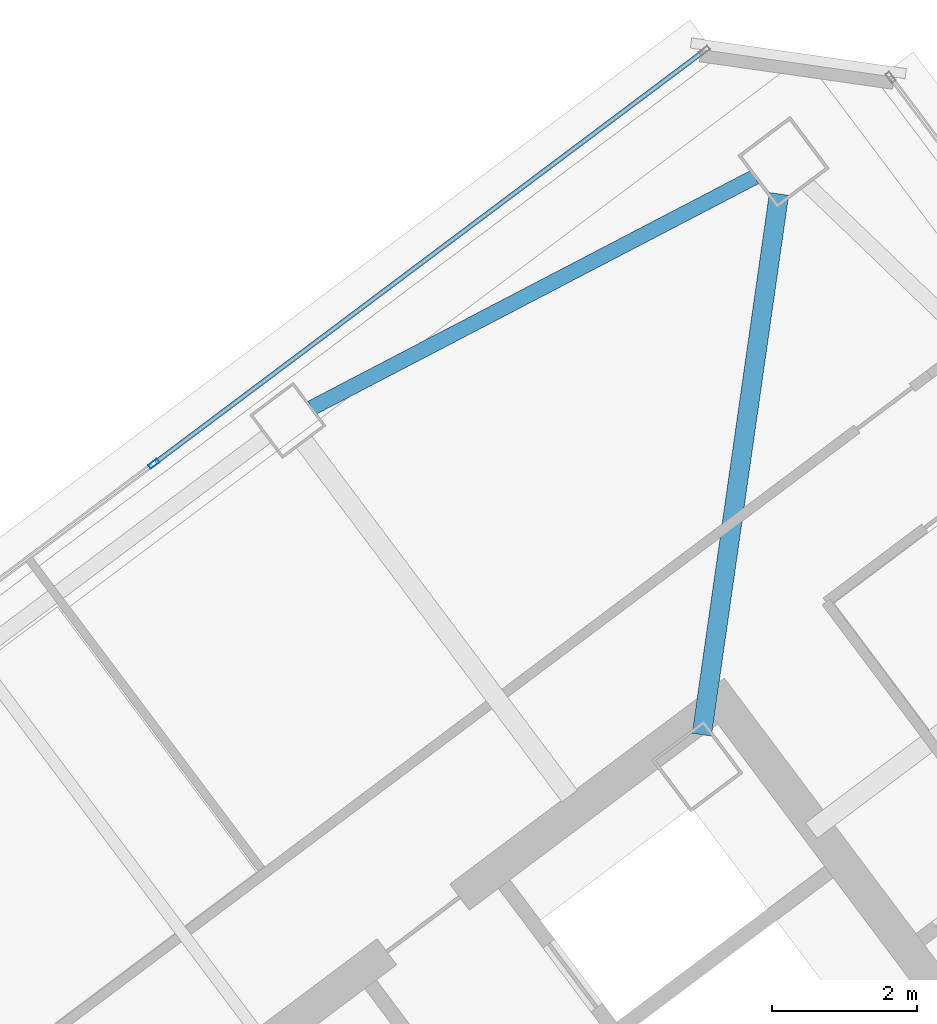
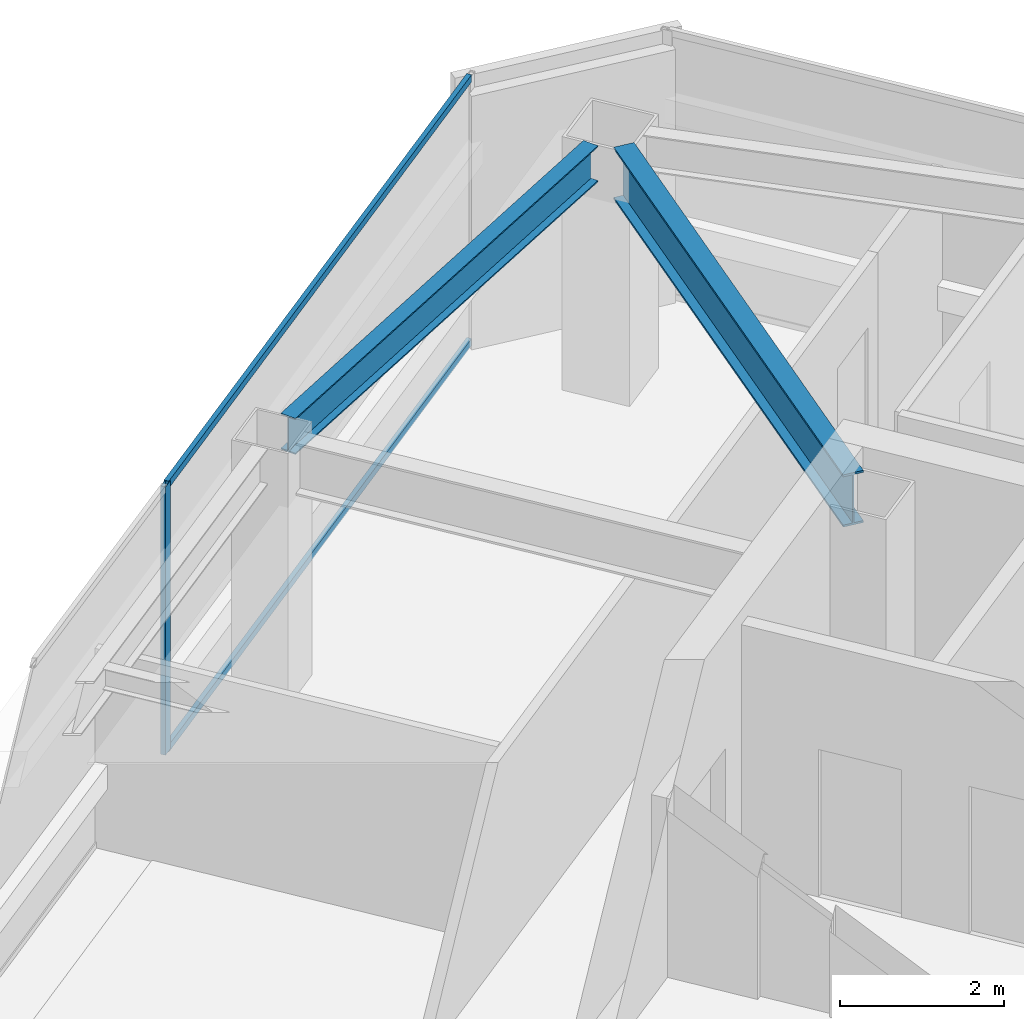
# One storey, part 35 of 51: 3 members, 2 beams, 1 element without a shape of its own.
"""IFC4 building model written with IfcOpenShell, lengths in metres."""

from ifc_helpers import new_model, si_unit, direction, frame, origin, origin_2d, place, context, subcontext, project, spatial, hollow_rectangle, i_section, extrude, material, material_profile, profile_set, type_object, element, aggregate, save


model = new_model("IFC4")

# Units and contexts
model_context = context("Model", 3, precision=1e-05, world=origin(), true_north=direction((0.0, 1.0)))
body_context = subcontext(model_context, "Body", "Model", "MODEL_VIEW")
ifc_project = project(units=[si_unit("LENGTHUNIT", "METRE"), si_unit("AREAUNIT", "SQUARE_METRE"), si_unit("VOLUMEUNIT", "CUBIC_METRE"), si_unit("PLANEANGLEUNIT", "RADIAN"), si_unit("MASSUNIT", "GRAM", prefix="KILO")], contexts=[model_context])

# Site, building, storey
site_placement = place(None, origin())
site = spatial("IfcSite", under=ifc_project, at=site_placement, CompositionType="ELEMENT")
building_placement = place(site_placement, origin())
building = spatial("IfcBuilding", under=site, at=building_placement, Name="Tashvorn Skyway Center", CompositionType="ELEMENT")
storey_placement = place(building_placement, frame((0.0, 0.0, 251.39990234375)))
storey = spatial("IfcBuildingStorey", under=building, at=storey_placement, Name="L68", CompositionType="ELEMENT", Elevation=251.39990234375)

# Beams
ifc_material_1 = material(Name="Steel ASTM A992 Grade 50", Category="steel")
ifc_material_profile_1 = material_profile(ifc_material_1, i_section(OverallWidth=0.26708984375, OverallDepth=0.779052734375, WebThickness=0.0166015625, FlangeThickness=0.030029296875, at=origin_2d()), Name="W30X148")
ifc_profile_set_1 = profile_set([ifc_material_profile_1], Name="Steel ASTM A992 Grade 50")
beam_type_1 = type_object("IfcBeamType", Name="BM-BEAM-W30X148", PredefinedType="BEAM", material=ifc_profile_set_1)
beam_1_placement = place(storey_placement, frame((116.537109375, 49.759521484375, 3.390625), z_axis=(-0.141430441004, -0.989948195795, 0.0), x_axis=(0.989948195795, -0.141430441004, 0.0)))
element("IfcBeam", 1, at=beam_1_placement, inside=storey, type_object=beam_type_1, Name="Tower 2 L68 Primary Floor Girder MC-NE", PredefinedType="BEAM", context=body_context, shape_type="SweptSolid", body=[
    extrude(i_section(OverallWidth=0.26708984375, OverallDepth=0.779052734375, WebThickness=0.0166015625, FlangeThickness=0.030029296875, at=origin_2d()), origin(), (0.0, 0.0, 1.0), 7.524658203125),
])
ifc_material_profile_2 = material_profile(ifc_material_1, i_section(OverallWidth=0.2109375, OverallDepth=0.5390625, WebThickness=0.01171875, FlangeThickness=0.018798828125, at=origin_2d()), Name="W21X73")
ifc_profile_set_2 = profile_set([ifc_material_profile_2], Name="Steel ASTM A992 Grade 50")
beam_type_2 = type_object("IfcBeamType", Name="BM-SPANDREL-W21X73", PredefinedType="SPANDREL", material=ifc_profile_set_2)
beam_2_placement = place(storey_placement, frame((116.205322265625, 49.994384765625, 3.510498046875), z_axis=(-0.886763659136, -0.462223120187, 0.0), x_axis=(0.462223120187, -0.886763659136, 0.0)))
element("IfcBeam", 2, at=beam_2_placement, inside=storey, type_object=beam_type_2, Name="Tower 2 L68 Spandrel Beam 07", PredefinedType="SPANDREL", context=body_context, shape_type="SweptSolid", body=[
    extrude(i_section(OverallWidth=0.2109375, OverallDepth=0.5390625, WebThickness=0.01171875, FlangeThickness=0.018798828125, at=origin_2d()), origin(), (0.0, 0.0, 1.0), 6.886962890625),
])

# Curtain wall, members
ifc_material_2 = material(Name="Thermally broken bronze-anodized aluminium 6063-T6", Category="aluminium")
curtain_wall_type = type_object("IfcCurtainWallType", Name="CW-CW-SKY", PredefinedType="NOTDEFINED", material=ifc_material_2)
curtain_wall_placement = place(storey_placement, origin())
curtain_wall = element("IfcCurtainWall", 3, at=curtain_wall_placement, inside=storey, type_object=curtain_wall_type, Name="Tower 2 L68 North Curtain Wall B", PredefinedType="NOTDEFINED")
ifc_material_profile_3 = material_profile(ifc_material_2, hollow_rectangle(XDim=0.06494140625, YDim=0.14990234375, WallThickness=0.00390625, at=origin_2d()), Name="ALU-MULL-65x150")
ifc_profile_set_3 = profile_set([ifc_material_profile_3], Name="Thermally broken bronze-anodized aluminium 6063-T6")
member_type_1 = type_object("IfcMemberType", Name="CWM-CW-SKY", PredefinedType="MULLION", material=ifc_profile_set_3)
member_1_placement = place(storey_placement, frame((107.924072265625, 46.04296875, 0.0), z_axis=(0.0, 0.0, 1.0), x_axis=(-0.600000000002, 0.799999999998, 0.0)))
member_1 = element("IfcMember", 4, at=member_1_placement, type_object=member_type_1, Name="CW-SKY mullion 2", PredefinedType="MULLION", context=body_context, shape_type="SweptSolid", body=[
    extrude(hollow_rectangle(XDim=0.06494140625, YDim=0.14990234375, WallThickness=0.00390625, at=origin_2d()), origin(), (0.0, 0.0, 1.0), 4.0),
])
ifc_material_profile_4 = material_profile(ifc_material_2, hollow_rectangle(XDim=0.06494140625, YDim=0.10498046875, WallThickness=0.00390625, at=origin_2d()), Name="ALU-TRAN-65x105")
ifc_profile_set_4 = profile_set([ifc_material_profile_4], Name="Thermally broken bronze-anodized aluminium 6063-T6")
member_type_2 = type_object("IfcMemberType", Name="CWT-CW-SKY", PredefinedType="USERDEFINED", material=ifc_profile_set_4)
member_2_placement = place(storey_placement, frame((107.949951171875, 46.0625, 0.03271484375), z_axis=(0.800003110925, 0.599995852077, 0.0), x_axis=(-0.599995852077, 0.800003110925, 0.0)))
member_2 = element("IfcMember", 5, at=member_2_placement, type_object=member_type_2, Name="CW-SKY transom 2.1", ObjectType="TRANSOM", PredefinedType="USERDEFINED", context=body_context, shape_type="SweptSolid", body=[
    extrude(hollow_rectangle(XDim=0.06494140625, YDim=0.10498046875, WallThickness=0.00390625, at=origin_2d()), origin(), (0.0, 0.0, 1.0), 9.41748046875),
])
member_3_placement = place(storey_placement, frame((107.949951171875, 46.0625, 3.967529296875), z_axis=(0.800003110925, 0.599995852077, 0.0), x_axis=(-0.599995852077, 0.800003110925, 0.0)))
member_3 = element("IfcMember", 6, at=member_3_placement, type_object=member_type_2, Name="CW-SKY transom 2.2", ObjectType="TRANSOM", PredefinedType="USERDEFINED", context=body_context, shape_type="SweptSolid", body=[
    extrude(hollow_rectangle(XDim=0.06494140625, YDim=0.10498046875, WallThickness=0.00390625, at=origin_2d()), origin(), (0.0, 0.0, 1.0), 9.41748046875),
])
aggregate(curtain_wall, [member_1, member_2, member_3])

save(model, "model.ifc")
